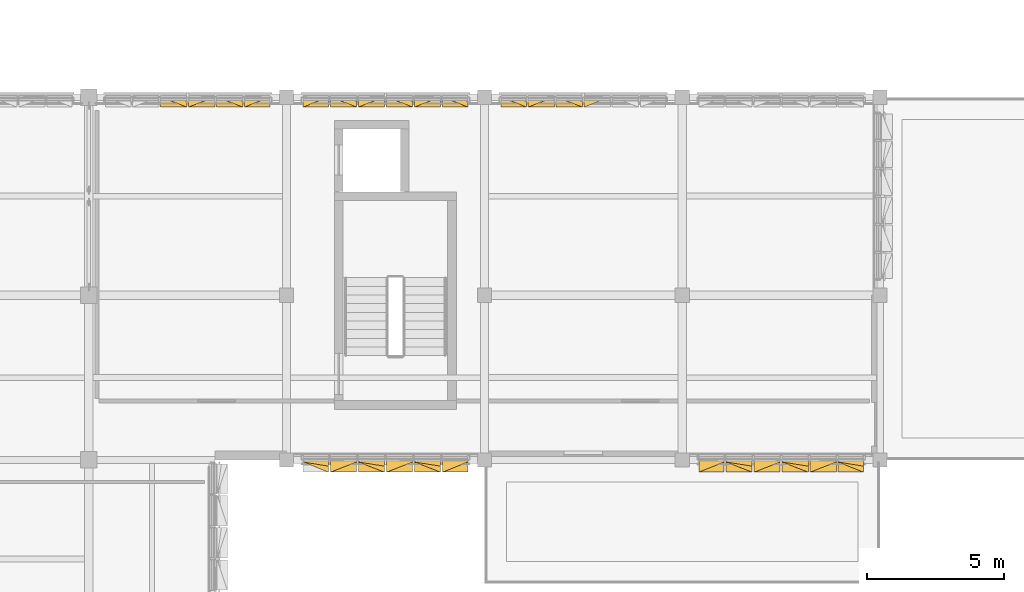
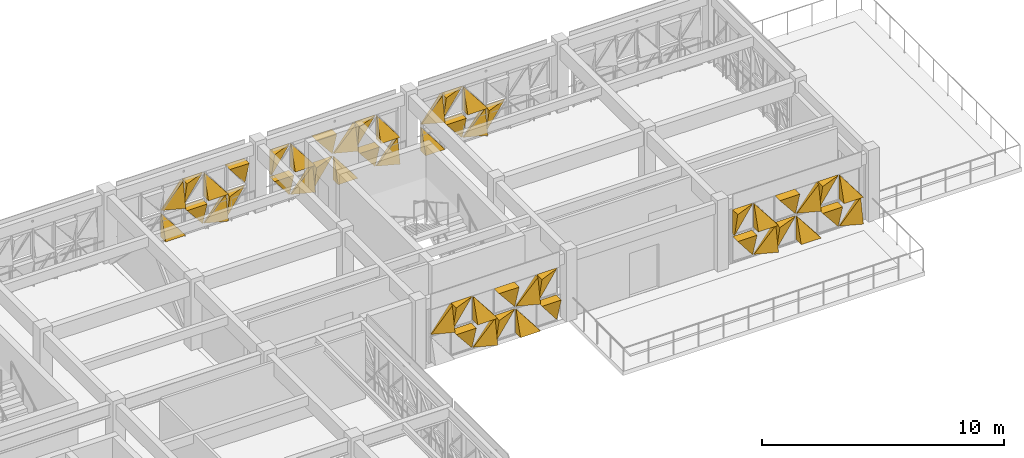
# One storey, part 68 of 74: 50 coverings.
"""IFC4 building model written with IfcOpenShell, lengths in metres."""

from ifc_helpers import new_model, si_unit, direction, frame, origin, place, context, subcontext, project, spatial, polygons, material, layer, layer_set, type_object, element, save


model = new_model("IFC4")

# Units and contexts
model_context = context("Model", 3, precision=1e-05, world=origin(), true_north=direction((0.0, 1.0)))
body_context = subcontext(model_context, "Body", "Model", "MODEL_VIEW")
ifc_project = project(units=[si_unit("LENGTHUNIT", "METRE"), si_unit("AREAUNIT", "SQUARE_METRE"), si_unit("VOLUMEUNIT", "CUBIC_METRE"), si_unit("PLANEANGLEUNIT", "RADIAN"), si_unit("MASSUNIT", "GRAM", prefix="KILO")], contexts=[model_context])

# Site, building, storey
site_placement = place(None, origin())
site = spatial("IfcSite", under=ifc_project, at=site_placement, CompositionType="ELEMENT")
building_placement = place(site_placement, origin())
building = spatial("IfcBuilding", under=site, at=building_placement, Name="Alvorim Cloister Faculty of Sciences", CompositionType="ELEMENT")
storey_placement = place(building_placement, frame((0.0, 0.0, 15.75)))
storey = spatial("IfcBuildingStorey", under=building, at=storey_placement, Name="L04", CompositionType="ELEMENT", Elevation=15.75)

# Coverings
ifc_material = material(Name="Perforated Bronze Alloy Sheet", Category="metal")
ifc_layer = layer(ifc_material, 0.0380859375)
ifc_layer_set = layer_set([ifc_layer], Name="Perforated Bronze Alloy Sheet")
covering_type = type_object("IfcCoveringType", Name="COV-TRI-BRZ", PredefinedType="CLADDING", material=ifc_layer_set)
covering_1_placement = place(storey_placement, frame((31.41259765625, 56.445068359375, 0.139892578125), z_axis=(0.0, 0.0, 1.0), x_axis=(1.0, 0.0, 0.0)))
element("IfcCovering", 1, at=covering_1_placement, inside=storey, type_object=covering_type, Name="Diagonal Solid Metal Triangle TRI-BL", PredefinedType="CLADDING", context=body_context, shape_type="Tessellation", body=[
    polygons([(0.0, 0.0260009765625, 0.0), (0.953078125, 0.0260009765625, 0.0), (0.0, 0.0260009765625, 1.213087890625), (0.0, -0.4, 0.0), (0.953078125, -0.4, 0.0), (0.0, -0.03, 1.213087890625)], [[[1, 3, 2]], [[4, 5, 6]], [[1, 2, 5, 4]], [[2, 3, 6, 5]], [[3, 1, 4, 6]]], closed=True),
])
covering_2_placement = place(storey_placement, frame((31.41259765625, 56.445068359375, 1.4951171875), z_axis=(0.0, 0.0, 1.0), x_axis=(1.0, 0.0, 0.0)))
element("IfcCovering", 2, at=covering_2_placement, inside=storey, type_object=covering_type, Name="Diagonal Solid Metal Triangle TRI-BR", PredefinedType="CLADDING", context=body_context, shape_type="Tessellation", body=[
    polygons([(0.002, 0.0260009765625, 0.0), (0.955078125, 0.0260009765625, 0.0), (0.955078125, 0.0260009765625, 1.21284375), (0.002, -0.03, 0.0), (0.955078125, -0.4, 0.0), (0.955078125, -0.18000000000000002, 1.21284375)], [[[1, 3, 2]], [[4, 5, 6]], [[1, 2, 5, 4]], [[2, 3, 6, 5]], [[3, 1, 4, 6]]], closed=True),
])
covering_3_placement = place(storey_placement, frame((32.4326171875, 56.445068359375, 0.139892578125), z_axis=(0.0, 0.0, 1.0), x_axis=(1.0, 0.0, 0.0)))
element("IfcCovering", 3, at=covering_3_placement, inside=storey, type_object=covering_type, Name="Diagonal Solid Metal Triangle TRI-TR", PredefinedType="CLADDING", context=body_context, shape_type="Tessellation", body=[
    polygons([(0.955078125, 0.0260009765625, 0.002), (0.955078125, 0.0260009765625, 1.215087890625), (0.002, 0.0260009765625, 1.215087890625), (0.955078125, -0.03, 0.002), (0.955078125, -0.4, 1.215087890625), (0.002, -0.4, 1.215087890625)], [[[1, 3, 2]], [[4, 5, 6]], [[1, 2, 5, 4]], [[2, 3, 6, 5]], [[3, 1, 4, 6]]], closed=True),
])
covering_4_placement = place(storey_placement, frame((32.4326171875, 56.445068359375, 1.4951171875), z_axis=(0.0, 0.0, 1.0), x_axis=(1.0, 0.0, 0.0)))
element("IfcCovering", 4, at=covering_4_placement, inside=storey, type_object=covering_type, Name="Diagonal Solid Metal Triangle TRI-TL", PredefinedType="CLADDING", context=body_context, shape_type="Tessellation", body=[
    polygons([(0.953078125, 0.0260009765625, 1.21484375), (0.0, 0.0260009765625, 1.21484375), (0.0, 0.0260009765625, 0.002), (0.953078125, -0.03, 1.21484375), (0.0, -0.4, 1.21484375), (0.0, -0.13999999999999999, 0.002)], [[[1, 3, 2]], [[4, 5, 6]], [[1, 2, 5, 4]], [[2, 3, 6, 5]], [[3, 1, 4, 6]]], closed=True),
])
covering_5_placement = place(storey_placement, frame((33.452392578125, 56.445068359375, 0.139892578125), z_axis=(0.0, 0.0, 1.0), x_axis=(1.0, 0.0, 0.0)))
element("IfcCovering", 5, at=covering_5_placement, inside=storey, type_object=covering_type, Name="Diagonal Solid Metal Triangle TRI-BR", PredefinedType="CLADDING", context=body_context, shape_type="Tessellation", body=[
    polygons([(0.002, 0.0260009765625, 0.0), (0.955078125, 0.0260009765625, 0.0), (0.955078125, 0.0260009765625, 1.213087890625), (0.002, -0.03, 0.0), (0.955078125, -0.4, 0.0), (0.955078125, -0.18000000000000002, 1.213087890625)], [[[1, 3, 2]], [[4, 5, 6]], [[1, 2, 5, 4]], [[2, 3, 6, 5]], [[3, 1, 4, 6]]], closed=True),
])
covering_6_placement = place(storey_placement, frame((33.452392578125, 56.445068359375, 1.4951171875), z_axis=(0.0, 0.0, 1.0), x_axis=(1.0, 0.0, 0.0)))
element("IfcCovering", 6, at=covering_6_placement, inside=storey, type_object=covering_type, Name="Diagonal Solid Metal Triangle TRI-BL", PredefinedType="CLADDING", context=body_context, shape_type="Tessellation", body=[
    polygons([(0.0, 0.0260009765625, 0.0), (0.953078125, 0.0260009765625, 0.0), (0.0, 0.0260009765625, 1.21284375), (0.0, -0.4, 0.0), (0.953078125, -0.4, 0.0), (0.0, -0.03, 1.21284375)], [[[1, 3, 2]], [[4, 5, 6]], [[1, 2, 5, 4]], [[2, 3, 6, 5]], [[3, 1, 4, 6]]], closed=True),
])
covering_7_placement = place(storey_placement, frame((34.472412109375, 56.445068359375, 0.139892578125), z_axis=(0.0, 0.0, 1.0), x_axis=(1.0, 0.0, 0.0)))
element("IfcCovering", 7, at=covering_7_placement, inside=storey, type_object=covering_type, Name="Diagonal Solid Metal Triangle TRI-TL", PredefinedType="CLADDING", context=body_context, shape_type="Tessellation", body=[
    polygons([(0.920607421875, 0.0260009765625, 1.215087890625), (0.0, 0.0260009765625, 1.215087890625), (0.0, 0.0260009765625, 0.002), (0.920607421875, -0.03, 1.215087890625), (0.0, -0.4, 1.215087890625), (0.0, -0.13999999999999999, 0.002)], [[[1, 3, 2]], [[4, 5, 6]], [[1, 2, 5, 4]], [[2, 3, 6, 5]], [[3, 1, 4, 6]]], closed=True),
])
covering_8_placement = place(storey_placement, frame((34.472412109375, 56.445068359375, 1.4951171875), z_axis=(0.0, 0.0, 1.0), x_axis=(1.0, 0.0, 0.0)))
element("IfcCovering", 8, at=covering_8_placement, inside=storey, type_object=covering_type, Name="Diagonal Solid Metal Triangle TRI-TR", PredefinedType="CLADDING", context=body_context, shape_type="Tessellation", body=[
    polygons([(0.922607421875, 0.0260009765625, 0.002), (0.922607421875, 0.0260009765625, 1.21484375), (0.002, 0.0260009765625, 1.21484375), (0.922607421875, -0.03, 0.002), (0.922607421875, -0.4, 1.21484375), (0.002, -0.4, 1.21484375)], [[[1, 3, 2]], [[4, 5, 6]], [[1, 2, 5, 4]], [[2, 3, 6, 5]], [[3, 1, 4, 6]]], closed=True),
])
covering_9_placement = place(storey_placement, frame((36.60498046875, 56.445068359375, 0.139892578125), z_axis=(0.0, 0.0, 1.0), x_axis=(1.0, 0.0, 0.0)))
element("IfcCovering", 9, at=covering_9_placement, inside=storey, type_object=covering_type, Name="Diagonal Solid Metal Triangle TRI-TR", PredefinedType="CLADDING", context=body_context, shape_type="Tessellation", body=[
    polygons([(0.922607421875, 0.0260009765625, 0.002), (0.922607421875, 0.0260009765625, 1.215087890625), (0.002, 0.0260009765625, 1.215087890625), (0.922607421875, -0.03, 0.002), (0.922607421875, -0.4, 1.215087890625), (0.002, -0.4, 1.215087890625)], [[[1, 3, 2]], [[4, 5, 6]], [[1, 2, 5, 4]], [[2, 3, 6, 5]], [[3, 1, 4, 6]]], closed=True),
])
covering_10_placement = place(storey_placement, frame((36.60498046875, 56.445068359375, 1.4951171875), z_axis=(0.0, 0.0, 1.0), x_axis=(1.0, 0.0, 0.0)))
element("IfcCovering", 10, at=covering_10_placement, inside=storey, type_object=covering_type, Name="Diagonal Solid Metal Triangle TRI-TL", PredefinedType="CLADDING", context=body_context, shape_type="Tessellation", body=[
    polygons([(0.920607421875, 0.0260009765625, 1.21484375), (0.0, 0.0260009765625, 1.21484375), (0.0, 0.0260009765625, 0.002), (0.920607421875, -0.03, 1.21484375), (0.0, -0.4, 1.21484375), (0.0, -0.13999999999999999, 0.002)], [[[1, 3, 2]], [[4, 5, 6]], [[1, 2, 5, 4]], [[2, 3, 6, 5]], [[3, 1, 4, 6]]], closed=True),
])
covering_11_placement = place(storey_placement, frame((37.592529296875, 56.445068359375, 0.139892578125), z_axis=(0.0, 0.0, 1.0), x_axis=(1.0, 0.0, 0.0)))
element("IfcCovering", 11, at=covering_11_placement, inside=storey, type_object=covering_type, Name="Diagonal Solid Metal Triangle TRI-BR", PredefinedType="CLADDING", context=body_context, shape_type="Tessellation", body=[
    polygons([(0.002, 0.0260009765625, 0.0), (0.955078125, 0.0260009765625, 0.0), (0.955078125, 0.0260009765625, 1.213087890625), (0.002, -0.03, 0.0), (0.955078125, -0.4, 0.0), (0.955078125, -0.18000000000000002, 1.213087890625)], [[[1, 3, 2]], [[4, 5, 6]], [[1, 2, 5, 4]], [[2, 3, 6, 5]], [[3, 1, 4, 6]]], closed=True),
])
covering_12_placement = place(storey_placement, frame((37.592529296875, 56.445068359375, 1.4951171875), z_axis=(0.0, 0.0, 1.0), x_axis=(1.0, 0.0, 0.0)))
element("IfcCovering", 12, at=covering_12_placement, inside=storey, type_object=covering_type, Name="Diagonal Solid Metal Triangle TRI-BL", PredefinedType="CLADDING", context=body_context, shape_type="Tessellation", body=[
    polygons([(0.0, 0.0260009765625, 0.0), (0.953078125, 0.0260009765625, 0.0), (0.0, 0.0260009765625, 1.21284375), (0.0, -0.4, 0.0), (0.953078125, -0.4, 0.0), (0.0, -0.03, 1.21284375)], [[[1, 3, 2]], [[4, 5, 6]], [[1, 2, 5, 4]], [[2, 3, 6, 5]], [[3, 1, 4, 6]]], closed=True),
])
covering_13_placement = place(storey_placement, frame((38.612548828125, 56.445068359375, 0.139892578125), z_axis=(0.0, 0.0, 1.0), x_axis=(1.0, 0.0, 0.0)))
element("IfcCovering", 13, at=covering_13_placement, inside=storey, type_object=covering_type, Name="Diagonal Solid Metal Triangle TRI-TL", PredefinedType="CLADDING", context=body_context, shape_type="Tessellation", body=[
    polygons([(0.953078125, 0.0260009765625, 1.215087890625), (0.0, 0.0260009765625, 1.215087890625), (0.0, 0.0260009765625, 0.002), (0.953078125, -0.03, 1.215087890625), (0.0, -0.4, 1.215087890625), (0.0, -0.13999999999999999, 0.002)], [[[1, 3, 2]], [[4, 5, 6]], [[1, 2, 5, 4]], [[2, 3, 6, 5]], [[3, 1, 4, 6]]], closed=True),
])
covering_14_placement = place(storey_placement, frame((38.612548828125, 56.445068359375, 1.4951171875), z_axis=(0.0, 0.0, 1.0), x_axis=(1.0, 0.0, 0.0)))
element("IfcCovering", 14, at=covering_14_placement, inside=storey, type_object=covering_type, Name="Diagonal Solid Metal Triangle TRI-TR", PredefinedType="CLADDING", context=body_context, shape_type="Tessellation", body=[
    polygons([(0.955078125, 0.0260009765625, 0.002), (0.955078125, 0.0260009765625, 1.21484375), (0.002, 0.0260009765625, 1.21484375), (0.955078125, -0.03, 0.002), (0.955078125, -0.4, 1.21484375), (0.002, -0.4, 1.21484375)], [[[1, 3, 2]], [[4, 5, 6]], [[1, 2, 5, 4]], [[2, 3, 6, 5]], [[3, 1, 4, 6]]], closed=True),
])
covering_15_placement = place(storey_placement, frame((39.632568359375, 56.445068359375, 0.139892578125), z_axis=(0.0, 0.0, 1.0), x_axis=(1.0, 0.0, 0.0)))
element("IfcCovering", 15, at=covering_15_placement, inside=storey, type_object=covering_type, Name="Diagonal Solid Metal Triangle TRI-BL", PredefinedType="CLADDING", context=body_context, shape_type="Tessellation", body=[
    polygons([(0.0, 0.0260009765625, 0.0), (0.953078125, 0.0260009765625, 0.0), (0.0, 0.0260009765625, 1.213087890625), (0.0, -0.4, 0.0), (0.953078125, -0.4, 0.0), (0.0, -0.03, 1.213087890625)], [[[1, 3, 2]], [[4, 5, 6]], [[1, 2, 5, 4]], [[2, 3, 6, 5]], [[3, 1, 4, 6]]], closed=True),
])
covering_16_placement = place(storey_placement, frame((39.632568359375, 56.445068359375, 1.4951171875), z_axis=(0.0, 0.0, 1.0), x_axis=(1.0, 0.0, 0.0)))
element("IfcCovering", 16, at=covering_16_placement, inside=storey, type_object=covering_type, Name="Diagonal Solid Metal Triangle TRI-BR", PredefinedType="CLADDING", context=body_context, shape_type="Tessellation", body=[
    polygons([(0.002, 0.0260009765625, 0.0), (0.955078125, 0.0260009765625, 0.0), (0.955078125, 0.0260009765625, 1.21284375), (0.002, -0.03, 0.0), (0.955078125, -0.4, 0.0), (0.955078125, -0.18000000000000002, 1.21284375)], [[[1, 3, 2]], [[4, 5, 6]], [[1, 2, 5, 4]], [[2, 3, 6, 5]], [[3, 1, 4, 6]]], closed=True),
])
covering_17_placement = place(storey_placement, frame((40.652587890625, 56.445068359375, 0.139892578125), z_axis=(0.0, 0.0, 1.0), x_axis=(1.0, 0.0, 0.0)))
element("IfcCovering", 17, at=covering_17_placement, inside=storey, type_object=covering_type, Name="Diagonal Solid Metal Triangle TRI-TR", PredefinedType="CLADDING", context=body_context, shape_type="Tessellation", body=[
    polygons([(0.955078125, 0.0260009765625, 0.002), (0.955078125, 0.0260009765625, 1.215087890625), (0.002, 0.0260009765625, 1.215087890625), (0.955078125, -0.03, 0.002), (0.955078125, -0.4, 1.215087890625), (0.002, -0.4, 1.215087890625)], [[[1, 3, 2]], [[4, 5, 6]], [[1, 2, 5, 4]], [[2, 3, 6, 5]], [[3, 1, 4, 6]]], closed=True),
])
covering_18_placement = place(storey_placement, frame((40.652587890625, 56.445068359375, 1.4951171875), z_axis=(0.0, 0.0, 1.0), x_axis=(1.0, 0.0, 0.0)))
element("IfcCovering", 18, at=covering_18_placement, inside=storey, type_object=covering_type, Name="Diagonal Solid Metal Triangle TRI-TL", PredefinedType="CLADDING", context=body_context, shape_type="Tessellation", body=[
    polygons([(0.953078125, 0.0260009765625, 1.21484375), (0.0, 0.0260009765625, 1.21484375), (0.0, 0.0260009765625, 0.002), (0.953078125, -0.03, 1.21484375), (0.0, -0.4, 1.21484375), (0.0, -0.13999999999999999, 0.002)], [[[1, 3, 2]], [[4, 5, 6]], [[1, 2, 5, 4]], [[2, 3, 6, 5]], [[3, 1, 4, 6]]], closed=True),
])
covering_19_placement = place(storey_placement, frame((41.672607421875, 56.445068359375, 0.139892578125), z_axis=(0.0, 0.0, 1.0), x_axis=(1.0, 0.0, 0.0)))
element("IfcCovering", 19, at=covering_19_placement, inside=storey, type_object=covering_type, Name="Diagonal Solid Metal Triangle TRI-BR", PredefinedType="CLADDING", context=body_context, shape_type="Tessellation", body=[
    polygons([(0.002, 0.0260009765625, 0.0), (0.922607421875, 0.0260009765625, 0.0), (0.922607421875, 0.0260009765625, 1.213087890625), (0.002, -0.03, 0.0), (0.922607421875, -0.4, 0.0), (0.922607421875, -0.18000000000000002, 1.213087890625)], [[[1, 3, 2]], [[4, 5, 6]], [[1, 2, 5, 4]], [[2, 3, 6, 5]], [[3, 1, 4, 6]]], closed=True),
])
covering_20_placement = place(storey_placement, frame((41.672607421875, 56.445068359375, 1.4951171875), z_axis=(0.0, 0.0, 1.0), x_axis=(1.0, 0.0, 0.0)))
element("IfcCovering", 20, at=covering_20_placement, inside=storey, type_object=covering_type, Name="Diagonal Solid Metal Triangle TRI-BL", PredefinedType="CLADDING", context=body_context, shape_type="Tessellation", body=[
    polygons([(0.0, 0.0260009765625, 0.0), (0.920607421875, 0.0260009765625, 0.0), (0.0, 0.0260009765625, 1.21284375), (0.0, -0.4, 0.0), (0.920607421875, -0.4, 0.0), (0.0, -0.03, 1.21284375)], [[[1, 3, 2]], [[4, 5, 6]], [[1, 2, 5, 4]], [[2, 3, 6, 5]], [[3, 1, 4, 6]]], closed=True),
])
covering_21_placement = place(storey_placement, frame((43.804931640625, 56.445068359375, 0.139892578125), z_axis=(0.0, 0.0, 1.0), x_axis=(1.0, 0.0, 0.0)))
element("IfcCovering", 21, at=covering_21_placement, inside=storey, type_object=covering_type, Name="Diagonal Solid Metal Triangle TRI-BL", PredefinedType="CLADDING", context=body_context, shape_type="Tessellation", body=[
    polygons([(0.0, 0.0260009765625, 0.0), (0.920607421875, 0.0260009765625, 0.0), (0.0, 0.0260009765625, 1.213087890625), (0.0, -0.4, 0.0), (0.920607421875, -0.4, 0.0), (0.0, -0.03, 1.213087890625)], [[[1, 3, 2]], [[4, 5, 6]], [[1, 2, 5, 4]], [[2, 3, 6, 5]], [[3, 1, 4, 6]]], closed=True),
])
covering_22_placement = place(storey_placement, frame((43.804931640625, 56.445068359375, 1.4951171875), z_axis=(0.0, 0.0, 1.0), x_axis=(1.0, 0.0, 0.0)))
element("IfcCovering", 22, at=covering_22_placement, inside=storey, type_object=covering_type, Name="Diagonal Solid Metal Triangle TRI-BR", PredefinedType="CLADDING", context=body_context, shape_type="Tessellation", body=[
    polygons([(0.002, 0.0260009765625, 0.0), (0.922607421875, 0.0260009765625, 0.0), (0.922607421875, 0.0260009765625, 1.21284375), (0.002, -0.03, 0.0), (0.922607421875, -0.4, 0.0), (0.922607421875, -0.18000000000000002, 1.21284375)], [[[1, 3, 2]], [[4, 5, 6]], [[1, 2, 5, 4]], [[2, 3, 6, 5]], [[3, 1, 4, 6]]], closed=True),
])
covering_23_placement = place(storey_placement, frame((44.79248046875, 56.445068359375, 0.139892578125), z_axis=(0.0, 0.0, 1.0), x_axis=(1.0, 0.0, 0.0)))
element("IfcCovering", 23, at=covering_23_placement, inside=storey, type_object=covering_type, Name="Diagonal Solid Metal Triangle TRI-TR", PredefinedType="CLADDING", context=body_context, shape_type="Tessellation", body=[
    polygons([(0.955078125, 0.0260009765625, 0.002), (0.955078125, 0.0260009765625, 1.215087890625), (0.002, 0.0260009765625, 1.215087890625), (0.955078125, -0.03, 0.002), (0.955078125, -0.4, 1.215087890625), (0.002, -0.4, 1.215087890625)], [[[1, 3, 2]], [[4, 5, 6]], [[1, 2, 5, 4]], [[2, 3, 6, 5]], [[3, 1, 4, 6]]], closed=True),
])
covering_24_placement = place(storey_placement, frame((44.79248046875, 56.445068359375, 1.4951171875), z_axis=(0.0, 0.0, 1.0), x_axis=(1.0, 0.0, 0.0)))
element("IfcCovering", 24, at=covering_24_placement, inside=storey, type_object=covering_type, Name="Diagonal Solid Metal Triangle TRI-TL", PredefinedType="CLADDING", context=body_context, shape_type="Tessellation", body=[
    polygons([(0.953078125, 0.0260009765625, 1.21484375), (0.0, 0.0260009765625, 1.21484375), (0.0, 0.0260009765625, 0.002), (0.953078125, -0.03, 1.21484375), (0.0, -0.4, 1.21484375), (0.0, -0.13999999999999999, 0.002)], [[[1, 3, 2]], [[4, 5, 6]], [[1, 2, 5, 4]], [[2, 3, 6, 5]], [[3, 1, 4, 6]]], closed=True),
])
covering_25_placement = place(storey_placement, frame((45.8125, 56.445068359375, 0.139892578125), z_axis=(0.0, 0.0, 1.0), x_axis=(1.0, 0.0, 0.0)))
element("IfcCovering", 25, at=covering_25_placement, inside=storey, type_object=covering_type, Name="Diagonal Solid Metal Triangle TRI-BR", PredefinedType="CLADDING", context=body_context, shape_type="Tessellation", body=[
    polygons([(0.002, 0.0260009765625, 0.0), (0.955078125, 0.0260009765625, 0.0), (0.955078125, 0.0260009765625, 1.213087890625), (0.002, -0.03, 0.0), (0.955078125, -0.4, 0.0), (0.955078125, -0.18000000000000002, 1.213087890625)], [[[1, 3, 2]], [[4, 5, 6]], [[1, 2, 5, 4]], [[2, 3, 6, 5]], [[3, 1, 4, 6]]], closed=True),
])
covering_26_placement = place(storey_placement, frame((45.8125, 56.445068359375, 1.4951171875), z_axis=(0.0, 0.0, 1.0), x_axis=(1.0, 0.0, 0.0)))
element("IfcCovering", 26, at=covering_26_placement, inside=storey, type_object=covering_type, Name="Diagonal Solid Metal Triangle TRI-BL", PredefinedType="CLADDING", context=body_context, shape_type="Tessellation", body=[
    polygons([(0.0, 0.0260009765625, 0.0), (0.953078125, 0.0260009765625, 0.0), (0.0, 0.0260009765625, 1.21284375), (0.0, -0.4, 0.0), (0.953078125, -0.4, 0.0), (0.0, -0.03, 1.21284375)], [[[1, 3, 2]], [[4, 5, 6]], [[1, 2, 5, 4]], [[2, 3, 6, 5]], [[3, 1, 4, 6]]], closed=True),
])
covering_27_placement = place(storey_placement, frame((46.83251953125, 56.445068359375, 0.139892578125), z_axis=(0.0, 0.0, 1.0), x_axis=(1.0, 0.0, 0.0)))
element("IfcCovering", 27, at=covering_27_placement, inside=storey, type_object=covering_type, Name="Diagonal Solid Metal Triangle TRI-TL", PredefinedType="CLADDING", context=body_context, shape_type="Tessellation", body=[
    polygons([(0.953078125, 0.0260009765625, 1.215087890625), (0.0, 0.0260009765625, 1.215087890625), (0.0, 0.0260009765625, 0.002), (0.953078125, -0.03, 1.215087890625), (0.0, -0.4, 1.215087890625), (0.0, -0.13999999999999999, 0.002)], [[[1, 3, 2]], [[4, 5, 6]], [[1, 2, 5, 4]], [[2, 3, 6, 5]], [[3, 1, 4, 6]]], closed=True),
])
covering_28_placement = place(storey_placement, frame((51.0048828125, 43.155029296875, 0.139892578125), z_axis=(0.0, 0.0, 1.0), x_axis=(1.0, 0.0, 0.0)))
element("IfcCovering", 28, at=covering_28_placement, inside=storey, type_object=covering_type, Name="Diagonal Solid Metal Triangle TRI-TR", PredefinedType="CLADDING", context=body_context, shape_type="Tessellation", body=[
    polygons([(0.922607421875, 0.0260009765625, 0.002), (0.922607421875, 0.0260009765625, 1.215087890625), (0.002, 0.0260009765625, 1.215087890625), (0.922607421875, -0.03, 0.002), (0.922607421875, -0.4, 1.215087890625), (0.002, -0.4, 1.215087890625)], [[[1, 3, 2]], [[4, 5, 6]], [[1, 2, 5, 4]], [[2, 3, 6, 5]], [[3, 1, 4, 6]]], closed=True),
])
covering_29_placement = place(storey_placement, frame((51.0048828125, 43.155029296875, 1.4951171875), z_axis=(0.0, 0.0, 1.0), x_axis=(1.0, 0.0, 0.0)))
element("IfcCovering", 29, at=covering_29_placement, inside=storey, type_object=covering_type, Name="Diagonal Solid Metal Triangle TRI-TL", PredefinedType="CLADDING", context=body_context, shape_type="Tessellation", body=[
    polygons([(0.920607421875, 0.0260009765625, 1.21484375), (0.0, 0.0260009765625, 1.21484375), (0.0, 0.0260009765625, 0.002), (0.920607421875, -0.03, 1.21484375), (0.0, -0.4, 1.21484375), (0.0, -0.13999999999999999, 0.002)], [[[1, 3, 2]], [[4, 5, 6]], [[1, 2, 5, 4]], [[2, 3, 6, 5]], [[3, 1, 4, 6]]], closed=True),
])
covering_30_placement = place(storey_placement, frame((51.992431640625, 43.155029296875, 0.139892578125), z_axis=(0.0, 0.0, 1.0), x_axis=(1.0, 0.0, 0.0)))
element("IfcCovering", 30, at=covering_30_placement, inside=storey, type_object=covering_type, Name="Diagonal Solid Metal Triangle TRI-BR", PredefinedType="CLADDING", context=body_context, shape_type="Tessellation", body=[
    polygons([(0.002, 0.0260009765625, 0.0), (0.955078125, 0.0260009765625, 0.0), (0.955078125, 0.0260009765625, 1.213087890625), (0.002, -0.03, 0.0), (0.955078125, -0.4, 0.0), (0.955078125, -0.18000000000000002, 1.213087890625)], [[[1, 3, 2]], [[4, 5, 6]], [[1, 2, 5, 4]], [[2, 3, 6, 5]], [[3, 1, 4, 6]]], closed=True),
])
covering_31_placement = place(storey_placement, frame((51.992431640625, 43.155029296875, 1.4951171875), z_axis=(0.0, 0.0, 1.0), x_axis=(1.0, 0.0, 0.0)))
element("IfcCovering", 31, at=covering_31_placement, inside=storey, type_object=covering_type, Name="Diagonal Solid Metal Triangle TRI-BL", PredefinedType="CLADDING", context=body_context, shape_type="Tessellation", body=[
    polygons([(0.0, 0.0260009765625, 0.0), (0.953078125, 0.0260009765625, 0.0), (0.0, 0.0260009765625, 1.21284375), (0.0, -0.4, 0.0), (0.953078125, -0.4, 0.0), (0.0, -0.03, 1.21284375)], [[[1, 3, 2]], [[4, 5, 6]], [[1, 2, 5, 4]], [[2, 3, 6, 5]], [[3, 1, 4, 6]]], closed=True),
])
covering_32_placement = place(storey_placement, frame((53.012451171875, 43.155029296875, 0.139892578125), z_axis=(0.0, 0.0, 1.0), x_axis=(1.0, 0.0, 0.0)))
element("IfcCovering", 32, at=covering_32_placement, inside=storey, type_object=covering_type, Name="Diagonal Solid Metal Triangle TRI-TL", PredefinedType="CLADDING", context=body_context, shape_type="Tessellation", body=[
    polygons([(0.953078125, 0.0260009765625, 1.215087890625), (0.0, 0.0260009765625, 1.215087890625), (0.0, 0.0260009765625, 0.002), (0.953078125, -0.03, 1.215087890625), (0.0, -0.4, 1.215087890625), (0.0, -0.13999999999999999, 0.002)], [[[1, 3, 2]], [[4, 5, 6]], [[1, 2, 5, 4]], [[2, 3, 6, 5]], [[3, 1, 4, 6]]], closed=True),
])
covering_33_placement = place(storey_placement, frame((53.012451171875, 43.155029296875, 1.4951171875), z_axis=(0.0, 0.0, 1.0), x_axis=(1.0, 0.0, 0.0)))
element("IfcCovering", 33, at=covering_33_placement, inside=storey, type_object=covering_type, Name="Diagonal Solid Metal Triangle TRI-TR", PredefinedType="CLADDING", context=body_context, shape_type="Tessellation", body=[
    polygons([(0.955078125, 0.0260009765625, 0.002), (0.955078125, 0.0260009765625, 1.21484375), (0.002, 0.0260009765625, 1.21484375), (0.955078125, -0.03, 0.002), (0.955078125, -0.4, 1.21484375), (0.002, -0.4, 1.21484375)], [[[1, 3, 2]], [[4, 5, 6]], [[1, 2, 5, 4]], [[2, 3, 6, 5]], [[3, 1, 4, 6]]], closed=True),
])
covering_34_placement = place(storey_placement, frame((54.032470703125, 43.155029296875, 0.139892578125), z_axis=(0.0, 0.0, 1.0), x_axis=(1.0, 0.0, 0.0)))
element("IfcCovering", 34, at=covering_34_placement, inside=storey, type_object=covering_type, Name="Diagonal Solid Metal Triangle TRI-BL", PredefinedType="CLADDING", context=body_context, shape_type="Tessellation", body=[
    polygons([(0.0, 0.0260009765625, 0.0), (0.953078125, 0.0260009765625, 0.0), (0.0, 0.0260009765625, 1.213087890625), (0.0, -0.4, 0.0), (0.953078125, -0.4, 0.0), (0.0, -0.03, 1.213087890625)], [[[1, 3, 2]], [[4, 5, 6]], [[1, 2, 5, 4]], [[2, 3, 6, 5]], [[3, 1, 4, 6]]], closed=True),
])
covering_35_placement = place(storey_placement, frame((54.032470703125, 43.155029296875, 1.4951171875), z_axis=(0.0, 0.0, 1.0), x_axis=(1.0, 0.0, 0.0)))
element("IfcCovering", 35, at=covering_35_placement, inside=storey, type_object=covering_type, Name="Diagonal Solid Metal Triangle TRI-BR", PredefinedType="CLADDING", context=body_context, shape_type="Tessellation", body=[
    polygons([(0.002, 0.0260009765625, 0.0), (0.955078125, 0.0260009765625, 0.0), (0.955078125, 0.0260009765625, 1.21284375), (0.002, -0.03, 0.0), (0.955078125, -0.4, 0.0), (0.955078125, -0.18000000000000002, 1.21284375)], [[[1, 3, 2]], [[4, 5, 6]], [[1, 2, 5, 4]], [[2, 3, 6, 5]], [[3, 1, 4, 6]]], closed=True),
])
covering_36_placement = place(storey_placement, frame((55.052490234375, 43.155029296875, 0.139892578125), z_axis=(0.0, 0.0, 1.0), x_axis=(1.0, 0.0, 0.0)))
element("IfcCovering", 36, at=covering_36_placement, inside=storey, type_object=covering_type, Name="Diagonal Solid Metal Triangle TRI-TR", PredefinedType="CLADDING", context=body_context, shape_type="Tessellation", body=[
    polygons([(0.955078125, 0.0260009765625, 0.002), (0.955078125, 0.0260009765625, 1.215087890625), (0.002, 0.0260009765625, 1.215087890625), (0.955078125, -0.03, 0.002), (0.955078125, -0.4, 1.215087890625), (0.002, -0.4, 1.215087890625)], [[[1, 3, 2]], [[4, 5, 6]], [[1, 2, 5, 4]], [[2, 3, 6, 5]], [[3, 1, 4, 6]]], closed=True),
])
covering_37_placement = place(storey_placement, frame((55.052490234375, 43.155029296875, 1.4951171875), z_axis=(0.0, 0.0, 1.0), x_axis=(1.0, 0.0, 0.0)))
element("IfcCovering", 37, at=covering_37_placement, inside=storey, type_object=covering_type, Name="Diagonal Solid Metal Triangle TRI-TL", PredefinedType="CLADDING", context=body_context, shape_type="Tessellation", body=[
    polygons([(0.953078125, 0.0260009765625, 1.21484375), (0.0, 0.0260009765625, 1.21484375), (0.0, 0.0260009765625, 0.002), (0.953078125, -0.03, 1.21484375), (0.0, -0.4, 1.21484375), (0.0, -0.13999999999999999, 0.002)], [[[1, 3, 2]], [[4, 5, 6]], [[1, 2, 5, 4]], [[2, 3, 6, 5]], [[3, 1, 4, 6]]], closed=True),
])
covering_38_placement = place(storey_placement, frame((56.072509765625, 43.155029296875, 0.139892578125), z_axis=(0.0, 0.0, 1.0), x_axis=(1.0, 0.0, 0.0)))
element("IfcCovering", 38, at=covering_38_placement, inside=storey, type_object=covering_type, Name="Diagonal Solid Metal Triangle TRI-BR", PredefinedType="CLADDING", context=body_context, shape_type="Tessellation", body=[
    polygons([(0.002, 0.0260009765625, 0.0), (0.922607421875, 0.0260009765625, 0.0), (0.922607421875, 0.0260009765625, 1.213087890625), (0.002, -0.03, 0.0), (0.922607421875, -0.4, 0.0), (0.922607421875, -0.18000000000000002, 1.213087890625)], [[[1, 3, 2]], [[4, 5, 6]], [[1, 2, 5, 4]], [[2, 3, 6, 5]], [[3, 1, 4, 6]]], closed=True),
])
covering_39_placement = place(storey_placement, frame((56.072509765625, 43.155029296875, 1.4951171875), z_axis=(0.0, 0.0, 1.0), x_axis=(1.0, 0.0, 0.0)))
element("IfcCovering", 39, at=covering_39_placement, inside=storey, type_object=covering_type, Name="Diagonal Solid Metal Triangle TRI-BL", PredefinedType="CLADDING", context=body_context, shape_type="Tessellation", body=[
    polygons([(0.0, 0.0260009765625, 0.0), (0.920607421875, 0.0260009765625, 0.0), (0.0, 0.0260009765625, 1.21284375), (0.0, -0.4, 0.0), (0.920607421875, -0.4, 0.0), (0.0, -0.03, 1.21284375)], [[[1, 3, 2]], [[4, 5, 6]], [[1, 2, 5, 4]], [[2, 3, 6, 5]], [[3, 1, 4, 6]]], closed=True),
])
covering_40_placement = place(storey_placement, frame((36.60498046875, 43.155029296875, 1.4951171875), z_axis=(0.0, 0.0, 1.0), x_axis=(1.0, 0.0, 0.0)))
element("IfcCovering", 40, at=covering_40_placement, inside=storey, type_object=covering_type, Name="Diagonal Solid Metal Triangle TRI-BR", PredefinedType="CLADDING", context=body_context, shape_type="Tessellation", body=[
    polygons([(0.002, 0.0260009765625, 0.0), (0.922607421875, 0.0260009765625, 0.0), (0.922607421875, 0.0260009765625, 1.21284375), (0.002, -0.03, 0.0), (0.922607421875, -0.4, 0.0), (0.922607421875, -0.18000000000000002, 1.21284375)], [[[1, 3, 2]], [[4, 5, 6]], [[1, 2, 5, 4]], [[2, 3, 6, 5]], [[3, 1, 4, 6]]], closed=True),
])
covering_41_placement = place(storey_placement, frame((37.592529296875, 43.155029296875, 0.139892578125), z_axis=(0.0, 0.0, 1.0), x_axis=(1.0, 0.0, 0.0)))
element("IfcCovering", 41, at=covering_41_placement, inside=storey, type_object=covering_type, Name="Diagonal Solid Metal Triangle TRI-TR", PredefinedType="CLADDING", context=body_context, shape_type="Tessellation", body=[
    polygons([(0.955078125, 0.0260009765625, 0.002), (0.955078125, 0.0260009765625, 1.215087890625), (0.002, 0.0260009765625, 1.215087890625), (0.955078125, -0.03, 0.002), (0.955078125, -0.4, 1.215087890625), (0.002, -0.4, 1.215087890625)], [[[1, 3, 2]], [[4, 5, 6]], [[1, 2, 5, 4]], [[2, 3, 6, 5]], [[3, 1, 4, 6]]], closed=True),
])
covering_42_placement = place(storey_placement, frame((37.592529296875, 43.155029296875, 1.4951171875), z_axis=(0.0, 0.0, 1.0), x_axis=(1.0, 0.0, 0.0)))
element("IfcCovering", 42, at=covering_42_placement, inside=storey, type_object=covering_type, Name="Diagonal Solid Metal Triangle TRI-TL", PredefinedType="CLADDING", context=body_context, shape_type="Tessellation", body=[
    polygons([(0.953078125, 0.0260009765625, 1.21484375), (0.0, 0.0260009765625, 1.21484375), (0.0, 0.0260009765625, 0.002), (0.953078125, -0.03, 1.21484375), (0.0, -0.4, 1.21484375), (0.0, -0.13999999999999999, 0.002)], [[[1, 3, 2]], [[4, 5, 6]], [[1, 2, 5, 4]], [[2, 3, 6, 5]], [[3, 1, 4, 6]]], closed=True),
])
covering_43_placement = place(storey_placement, frame((38.612548828125, 43.155029296875, 0.139892578125), z_axis=(0.0, 0.0, 1.0), x_axis=(1.0, 0.0, 0.0)))
element("IfcCovering", 43, at=covering_43_placement, inside=storey, type_object=covering_type, Name="Diagonal Solid Metal Triangle TRI-BR", PredefinedType="CLADDING", context=body_context, shape_type="Tessellation", body=[
    polygons([(0.002, 0.0260009765625, 0.0), (0.955078125, 0.0260009765625, 0.0), (0.955078125, 0.0260009765625, 1.213087890625), (0.002, -0.03, 0.0), (0.955078125, -0.4, 0.0), (0.955078125, -0.18000000000000002, 1.213087890625)], [[[1, 3, 2]], [[4, 5, 6]], [[1, 2, 5, 4]], [[2, 3, 6, 5]], [[3, 1, 4, 6]]], closed=True),
])
covering_44_placement = place(storey_placement, frame((38.612548828125, 43.155029296875, 1.4951171875), z_axis=(0.0, 0.0, 1.0), x_axis=(1.0, 0.0, 0.0)))
element("IfcCovering", 44, at=covering_44_placement, inside=storey, type_object=covering_type, Name="Diagonal Solid Metal Triangle TRI-BL", PredefinedType="CLADDING", context=body_context, shape_type="Tessellation", body=[
    polygons([(0.0, 0.0260009765625, 0.0), (0.953078125, 0.0260009765625, 0.0), (0.0, 0.0260009765625, 1.21284375), (0.0, -0.4, 0.0), (0.953078125, -0.4, 0.0), (0.0, -0.03, 1.21284375)], [[[1, 3, 2]], [[4, 5, 6]], [[1, 2, 5, 4]], [[2, 3, 6, 5]], [[3, 1, 4, 6]]], closed=True),
])
covering_45_placement = place(storey_placement, frame((39.632568359375, 43.155029296875, 0.139892578125), z_axis=(0.0, 0.0, 1.0), x_axis=(1.0, 0.0, 0.0)))
element("IfcCovering", 45, at=covering_45_placement, inside=storey, type_object=covering_type, Name="Diagonal Solid Metal Triangle TRI-TL", PredefinedType="CLADDING", context=body_context, shape_type="Tessellation", body=[
    polygons([(0.953078125, 0.0260009765625, 1.215087890625), (0.0, 0.0260009765625, 1.215087890625), (0.0, 0.0260009765625, 0.002), (0.953078125, -0.03, 1.215087890625), (0.0, -0.4, 1.215087890625), (0.0, -0.13999999999999999, 0.002)], [[[1, 3, 2]], [[4, 5, 6]], [[1, 2, 5, 4]], [[2, 3, 6, 5]], [[3, 1, 4, 6]]], closed=True),
])
covering_46_placement = place(storey_placement, frame((39.632568359375, 43.155029296875, 1.4951171875), z_axis=(0.0, 0.0, 1.0), x_axis=(1.0, 0.0, 0.0)))
element("IfcCovering", 46, at=covering_46_placement, inside=storey, type_object=covering_type, Name="Diagonal Solid Metal Triangle TRI-TR", PredefinedType="CLADDING", context=body_context, shape_type="Tessellation", body=[
    polygons([(0.955078125, 0.0260009765625, 0.002), (0.955078125, 0.0260009765625, 1.21484375), (0.002, 0.0260009765625, 1.21484375), (0.955078125, -0.03, 0.002), (0.955078125, -0.4, 1.21484375), (0.002, -0.4, 1.21484375)], [[[1, 3, 2]], [[4, 5, 6]], [[1, 2, 5, 4]], [[2, 3, 6, 5]], [[3, 1, 4, 6]]], closed=True),
])
covering_47_placement = place(storey_placement, frame((40.652587890625, 43.155029296875, 0.139892578125), z_axis=(0.0, 0.0, 1.0), x_axis=(1.0, 0.0, 0.0)))
element("IfcCovering", 47, at=covering_47_placement, inside=storey, type_object=covering_type, Name="Diagonal Solid Metal Triangle TRI-BL", PredefinedType="CLADDING", context=body_context, shape_type="Tessellation", body=[
    polygons([(0.0, 0.0260009765625, 0.0), (0.953078125, 0.0260009765625, 0.0), (0.0, 0.0260009765625, 1.213087890625), (0.0, -0.4, 0.0), (0.953078125, -0.4, 0.0), (0.0, -0.03, 1.213087890625)], [[[1, 3, 2]], [[4, 5, 6]], [[1, 2, 5, 4]], [[2, 3, 6, 5]], [[3, 1, 4, 6]]], closed=True),
])
covering_48_placement = place(storey_placement, frame((40.652587890625, 43.155029296875, 1.4951171875), z_axis=(0.0, 0.0, 1.0), x_axis=(1.0, 0.0, 0.0)))
element("IfcCovering", 48, at=covering_48_placement, inside=storey, type_object=covering_type, Name="Diagonal Solid Metal Triangle TRI-BR", PredefinedType="CLADDING", context=body_context, shape_type="Tessellation", body=[
    polygons([(0.002, 0.0260009765625, 0.0), (0.955078125, 0.0260009765625, 0.0), (0.955078125, 0.0260009765625, 1.21284375), (0.002, -0.03, 0.0), (0.955078125, -0.4, 0.0), (0.955078125, -0.18000000000000002, 1.21284375)], [[[1, 3, 2]], [[4, 5, 6]], [[1, 2, 5, 4]], [[2, 3, 6, 5]], [[3, 1, 4, 6]]], closed=True),
])
covering_49_placement = place(storey_placement, frame((41.672607421875, 43.155029296875, 0.139892578125), z_axis=(0.0, 0.0, 1.0), x_axis=(1.0, 0.0, 0.0)))
element("IfcCovering", 49, at=covering_49_placement, inside=storey, type_object=covering_type, Name="Diagonal Solid Metal Triangle TRI-TR", PredefinedType="CLADDING", context=body_context, shape_type="Tessellation", body=[
    polygons([(0.922607421875, 0.0260009765625, 0.002), (0.922607421875, 0.0260009765625, 1.215087890625), (0.002, 0.0260009765625, 1.215087890625), (0.922607421875, -0.03, 0.002), (0.922607421875, -0.4, 1.215087890625), (0.002, -0.4, 1.215087890625)], [[[1, 3, 2]], [[4, 5, 6]], [[1, 2, 5, 4]], [[2, 3, 6, 5]], [[3, 1, 4, 6]]], closed=True),
])
covering_50_placement = place(storey_placement, frame((41.672607421875, 43.155029296875, 1.4951171875), z_axis=(0.0, 0.0, 1.0), x_axis=(1.0, 0.0, 0.0)))
element("IfcCovering", 50, at=covering_50_placement, inside=storey, type_object=covering_type, Name="Diagonal Solid Metal Triangle TRI-TL", PredefinedType="CLADDING", context=body_context, shape_type="Tessellation", body=[
    polygons([(0.920607421875, 0.0260009765625, 1.21484375), (0.0, 0.0260009765625, 1.21484375), (0.0, 0.0260009765625, 0.002), (0.920607421875, -0.03, 1.21484375), (0.0, -0.4, 1.21484375), (0.0, -0.13999999999999999, 0.002)], [[[1, 3, 2]], [[4, 5, 6]], [[1, 2, 5, 4]], [[2, 3, 6, 5]], [[3, 1, 4, 6]]], closed=True),
])

save(model, "model.ifc")
